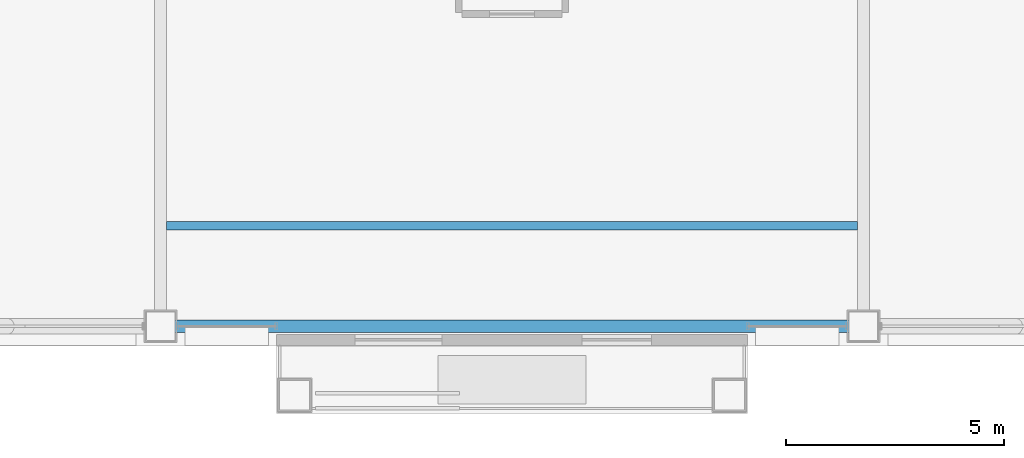
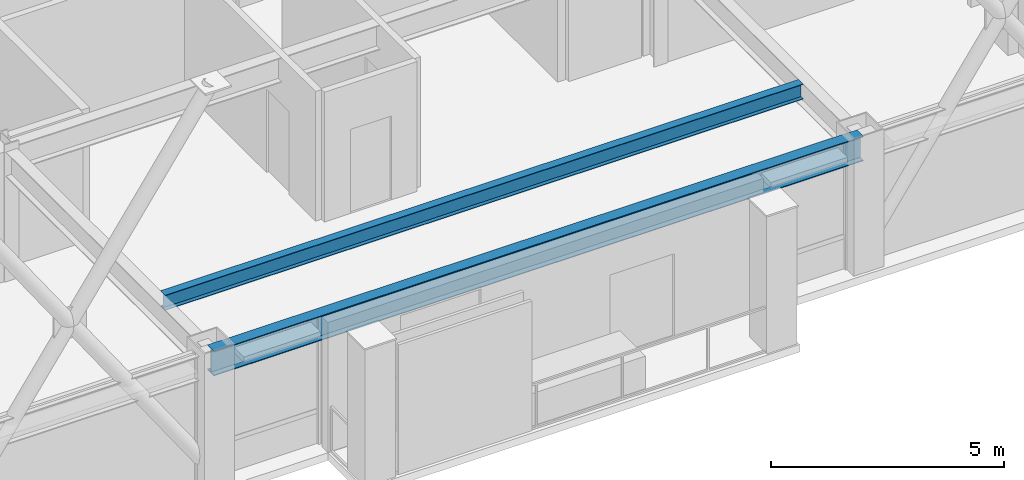
# One storey, part 7 of 30: 2 beams.
"""IFC4 building model written with IfcOpenShell, lengths in metres."""

from ifc_helpers import new_model, si_unit, direction, frame, origin, origin_2d, place, context, subcontext, project, spatial, i_section, extrude, material, material_profile, profile_set, type_object, element, save


model = new_model("IFC4")

# Units and contexts
model_context = context("Model", 3, precision=1e-05, world=origin(), true_north=direction((0.0, 1.0)))
body_context = subcontext(model_context, "Body", "Model", "MODEL_VIEW")
ifc_project = project(units=[si_unit("LENGTHUNIT", "METRE"), si_unit("AREAUNIT", "SQUARE_METRE"), si_unit("VOLUMEUNIT", "CUBIC_METRE"), si_unit("PLANEANGLEUNIT", "RADIAN"), si_unit("MASSUNIT", "GRAM", prefix="KILO")], contexts=[model_context])

# Site, building, storey
site_placement = place(None, origin())
site = spatial("IfcSite", under=ifc_project, at=site_placement, CompositionType="ELEMENT")
building_placement = place(site_placement, origin())
building = spatial("IfcBuilding", under=site, at=building_placement, Name="Brelmoor Portico Tower", CompositionType="ELEMENT")
storey_placement = place(building_placement, frame((0.0, 0.0, 173.10009765625)))
storey = spatial("IfcBuildingStorey", under=building, at=storey_placement, Name="L45", CompositionType="ELEMENT", Elevation=173.10009765625)

# Beams
ifc_material = material(Name="Steel Q355B", Category="steel")
ifc_material_profile_1 = material_profile(ifc_material, i_section(OverallWidth=0.199951171875, OverallDepth=0.39990234375, WebThickness=0.008056640625, FlangeThickness=0.012939453125, at=origin_2d()), Name="HN 400x200x8x13")
ifc_profile_set_1 = profile_set([ifc_material_profile_1], Name="Steel Q355B")
beam_type_1 = type_object("IfcBeamType", Name="BM-JS-400", PredefinedType="JOIST", material=ifc_profile_set_1)
beam_1_placement = place(storey_placement, frame((-7.909912109375, -16.25, 3.199951171875), z_axis=(1.0, 0.0, 0.0), x_axis=(0.0, 1.0, 0.0)))
element("IfcBeam", 1, at=beam_1_placement, inside=storey, type_object=beam_type_1, Name="L45 Secondary Composite Joist JS-C01", PredefinedType="JOIST", context=body_context, shape_type="SweptSolid", body=[
    extrude(i_section(OverallWidth=0.199951171875, OverallDepth=0.39990234375, WebThickness=0.008056640625, FlangeThickness=0.012939453125, at=origin_2d()), origin(), (0.0, 0.0, 1.0), 15.81982421875),
])
ifc_material_profile_2 = material_profile(ifc_material, i_section(OverallWidth=0.280029296875, OverallDepth=0.64990234375, WebThickness=0.012939453125, FlangeThickness=0.02197265625, at=origin_2d()), Name="HN 650x280x13x22")
ifc_profile_set_2 = profile_set([ifc_material_profile_2], Name="Steel Q355B")
beam_type_2 = type_object("IfcBeamType", Name="BM-SP-650", PredefinedType="SPANDREL", material=ifc_profile_set_2)
beam_2_placement = place(storey_placement, frame((-8.050048828125, -18.550048828125, 3.074951171875), z_axis=(1.0, 0.0, 0.0), x_axis=(0.0, 1.0, 0.0)))
element("IfcBeam", 2, at=beam_2_placement, inside=storey, type_object=beam_type_2, Name="L45 Perimeter Spandrel Beam SP-02", PredefinedType="SPANDREL", context=body_context, shape_type="SweptSolid", body=[
    extrude(i_section(OverallWidth=0.280029296875, OverallDepth=0.64990234375, WebThickness=0.012939453125, FlangeThickness=0.02197265625, at=origin_2d()), origin(), (0.0, 0.0, 1.0), 16.10009765625),
])

save(model, "model.ifc")
